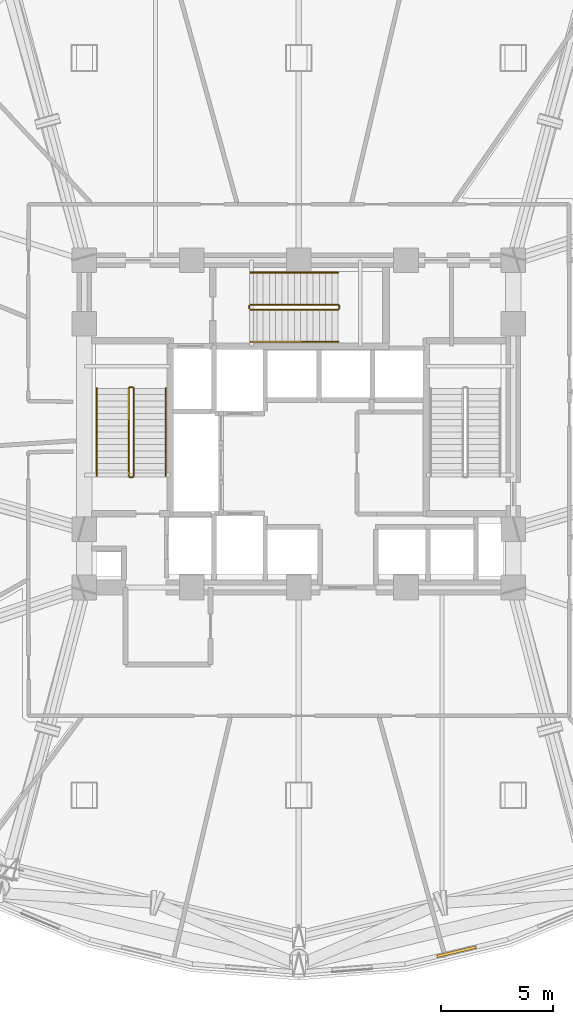
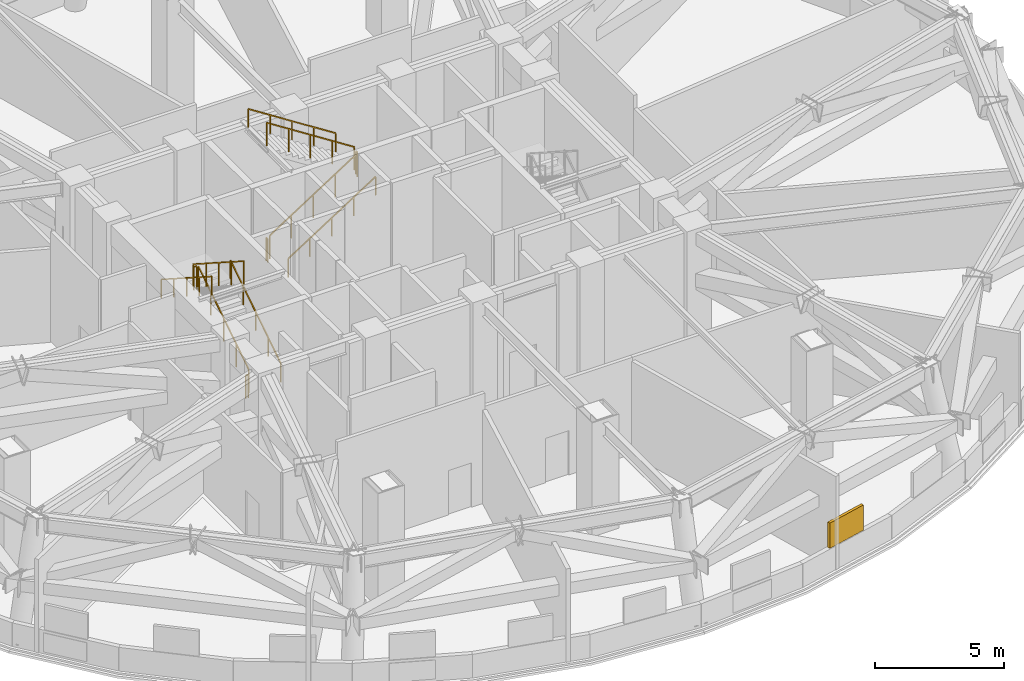
# One storey, part 11 of 14: 12 railings, 1 shading device.
"""IFC4 building model written with IfcOpenShell, lengths in metres."""

from ifc_helpers import new_model, si_unit, direction, frame, origin, origin_2d, place, context, subcontext, project, spatial, rectangle, extrude, material, layer, layer_set, type_object, element, save


model = new_model("IFC4")

# Units and contexts
model_context = context("Model", 3, precision=1e-05, world=origin(), true_north=direction((0.0, 1.0)))
body_context = subcontext(model_context, "Body", "Model", "MODEL_VIEW")
ifc_project = project(units=[si_unit("LENGTHUNIT", "METRE"), si_unit("AREAUNIT", "SQUARE_METRE"), si_unit("VOLUMEUNIT", "CUBIC_METRE"), si_unit("PLANEANGLEUNIT", "RADIAN"), si_unit("MASSUNIT", "GRAM", prefix="KILO")], contexts=[model_context])

# Site, building, storey
site_placement = place(None, origin())
site = spatial("IfcSite", under=ifc_project, at=site_placement, CompositionType="ELEMENT")
building_placement = place(site_placement, origin())
building = spatial("IfcBuilding", under=site, at=building_placement, Name="Vantalir Tower", CompositionType="ELEMENT")
storey_placement = place(building_placement, frame((0.0, 0.0, 90.75)))
storey = spatial("IfcBuildingStorey", under=building, at=storey_placement, Name="L22", CompositionType="ELEMENT", Elevation=90.75)

# Railings
ifc_material_1 = material(Name="Anodised aluminium and stainless steel guard", Category="steel")
railing_type_1 = type_object("IfcRailingType", Name="RAL-GUARD-1120", PredefinedType="GUARDRAIL", material=ifc_material_1)
railing_1_placement = place(storey_placement, frame((24.110107421875, 22.7900390625, 0.179931640625)))
element("IfcRailing", 1, at=railing_1_placement, inside=storey, type_object=railing_type_1, Name="L22 ST1 stair guard 1", PredefinedType="GUARDRAIL", context=body_context, shape_type="SweptSolid", body=[
    extrude(rectangle(XDim=0.048095703125, YDim=0.048095703125, at=origin_2d()), frame((0.0, 0.0, 1.09619140625), z_axis=(0.0, 0.841171666519, 0.540768182723), x_axis=(-1.0, 0.0, 0.0)), (0.0, 0.0, 1.0), 4.66015625),
    extrude(rectangle(XDim=0.0419921875, YDim=0.0419921875, at=origin_2d()), origin(), (0.0, 0.0, 1.0), 1.072021484375),
    extrude(rectangle(XDim=0.0419921875, YDim=0.0419921875, at=origin_2d()), frame((0.0, 0.97998046875, 0.6298828125)), (0.0, 0.0, 1.0), 1.072021484375),
    extrude(rectangle(XDim=0.0419921875, YDim=0.0419921875, at=origin_2d()), frame((0.0, 1.9599609375, 1.260009765625)), (0.0, 0.0, 1.0), 1.072021484375),
    extrude(rectangle(XDim=0.0419921875, YDim=0.0419921875, at=origin_2d()), frame((0.0, 2.93994140625, 1.89013671875)), (0.0, 0.0, 1.0), 1.072021484375),
    extrude(rectangle(XDim=0.0419921875, YDim=0.0419921875, at=origin_2d()), frame((0.0, 3.919921875, 2.52001953125)), (0.0, 0.0, 1.0), 1.072021484375),
])
railing_2_placement = place(storey_placement, frame((24.06005859375, 26.760009765625, 2.699951171875)))
element("IfcRailing", 2, at=railing_2_placement, inside=storey, type_object=railing_type_1, Name="L22 ST1 stair guard 2", PredefinedType="GUARDRAIL", context=body_context, shape_type="SweptSolid", body=[
    extrude(rectangle(XDim=0.048095703125, YDim=0.048095703125, at=origin_2d()), frame((0.0, 0.0, 1.09619140625), z_axis=(-1.0, 0.0, 0.0), x_axis=(0.0, -1.0, 0.0)), (0.0, 0.0, 1.0), 0.1201171875),
    extrude(rectangle(XDim=0.0419921875, YDim=0.0419921875, at=origin_2d()), origin(), (0.0, 0.0, 1.0), 1.072021484375),
    extrude(rectangle(XDim=0.0419921875, YDim=0.0419921875, at=origin_2d()), frame((-0.1201171875, 0.0, 0.0)), (0.0, 0.0, 1.0), 1.072021484375),
])
railing_3_placement = place(storey_placement, frame((23.889892578125, 26.7099609375, 2.8798828125)))
element("IfcRailing", 3, at=railing_3_placement, inside=storey, type_object=railing_type_1, Name="L22 ST1 stair guard 3", PredefinedType="GUARDRAIL", context=body_context, shape_type="SweptSolid", body=[
    extrude(rectangle(XDim=0.048095703125, YDim=0.048095703125, at=origin_2d()), frame((0.0, 0.0, 1.09619140625), z_axis=(0.0, -0.841171666519, 0.540768182723), x_axis=(1.0, 0.0, 0.0)), (0.0, 0.0, 1.0), 4.66015625),
    extrude(rectangle(XDim=0.0419921875, YDim=0.0419921875, at=origin_2d()), origin(), (0.0, 0.0, 1.0), 1.072021484375),
    extrude(rectangle(XDim=0.0419921875, YDim=0.0419921875, at=origin_2d()), frame((0.0, -0.97998046875, 0.6298828125)), (0.0, 0.0, 1.0), 1.072021484375),
    extrude(rectangle(XDim=0.0419921875, YDim=0.0419921875, at=origin_2d()), frame((0.0, -1.9599609375, 1.260009765625)), (0.0, 0.0, 1.0), 1.072021484375),
    extrude(rectangle(XDim=0.0419921875, YDim=0.0419921875, at=origin_2d()), frame((0.0, -2.93994140625, 1.89013671875)), (0.0, 0.0, 1.0), 1.072021484375),
    extrude(rectangle(XDim=0.0419921875, YDim=0.0419921875, at=origin_2d()), frame((0.0, -3.919921875, 2.52001953125)), (0.0, 0.0, 1.0), 1.072021484375),
])
railing_4_placement = place(storey_placement, frame((24.06005859375, 22.739990234375, 0.0)))
element("IfcRailing", 4, at=railing_4_placement, inside=storey, type_object=railing_type_1, Name="L22 ST1 stair guard 4", PredefinedType="GUARDRAIL", context=body_context, shape_type="SweptSolid", body=[
    extrude(rectangle(XDim=0.048095703125, YDim=0.048095703125, at=origin_2d()), frame((0.0, 0.0, 1.09619140625), z_axis=(-1.0, 0.0, 0.0), x_axis=(0.0, -1.0, 0.0)), (0.0, 0.0, 1.0), 0.1201171875),
    extrude(rectangle(XDim=0.0419921875, YDim=0.0419921875, at=origin_2d()), origin(), (0.0, 0.0, 1.0), 1.072021484375),
    extrude(rectangle(XDim=0.0419921875, YDim=0.0419921875, at=origin_2d()), frame((-0.1201171875, 0.0, 0.0)), (0.0, 0.0, 1.0), 1.072021484375),
])
railing_5_placement = place(storey_placement, frame((29.340087890625, 30.239990234375, 0.179931640625)))
element("IfcRailing", 5, at=railing_5_placement, inside=storey, type_object=railing_type_1, Name="L22 ST3 stair guard 1", PredefinedType="GUARDRAIL", context=body_context, shape_type="SweptSolid", body=[
    extrude(rectangle(XDim=0.048095703125, YDim=0.048095703125, at=origin_2d()), frame((0.0, 0.0, 1.09619140625), z_axis=(0.841171666519, 0.0, 0.540768182723), x_axis=(0.0, 1.0, 0.0)), (0.0, 0.0, 1.0), 4.66015625),
    extrude(rectangle(XDim=0.0419921875, YDim=0.0419921875, at=origin_2d()), origin(), (0.0, 0.0, 1.0), 1.072021484375),
    extrude(rectangle(XDim=0.0419921875, YDim=0.0419921875, at=origin_2d()), frame((0.97998046875, 0.0, 0.6298828125)), (0.0, 0.0, 1.0), 1.072021484375),
    extrude(rectangle(XDim=0.0419921875, YDim=0.0419921875, at=origin_2d()), frame((1.9599609375, 0.0, 1.260009765625)), (0.0, 0.0, 1.0), 1.072021484375),
    extrude(rectangle(XDim=0.0419921875, YDim=0.0419921875, at=origin_2d()), frame((2.93994140625, 0.0, 1.89013671875)), (0.0, 0.0, 1.0), 1.072021484375),
    extrude(rectangle(XDim=0.0419921875, YDim=0.0419921875, at=origin_2d()), frame((3.919921875, 0.0, 2.52001953125)), (0.0, 0.0, 1.0), 1.072021484375),
])
railing_6_placement = place(storey_placement, frame((33.31005859375, 30.2900390625, 2.699951171875)))
element("IfcRailing", 6, at=railing_6_placement, inside=storey, type_object=railing_type_1, Name="L22 ST3 stair guard 2", PredefinedType="GUARDRAIL", context=body_context, shape_type="SweptSolid", body=[
    extrude(rectangle(XDim=0.048095703125, YDim=0.048095703125, at=origin_2d()), frame((0.0, 0.0, 1.09619140625), z_axis=(0.0, 1.0, 0.0), x_axis=(-1.0, 0.0, 0.0)), (0.0, 0.0, 1.0), 0.119873046875),
    extrude(rectangle(XDim=0.0419921875, YDim=0.0419921875, at=origin_2d()), origin(), (0.0, 0.0, 1.0), 1.072021484375),
    extrude(rectangle(XDim=0.0419921875, YDim=0.0419921875, at=origin_2d()), frame((0.0, 0.119873046875, 0.0)), (0.0, 0.0, 1.0), 1.072021484375),
])
railing_7_placement = place(storey_placement, frame((33.260009765625, 30.4599609375, 2.8798828125)))
element("IfcRailing", 7, at=railing_7_placement, inside=storey, type_object=railing_type_1, Name="L22 ST3 stair guard 3", PredefinedType="GUARDRAIL", context=body_context, shape_type="SweptSolid", body=[
    extrude(rectangle(XDim=0.048095703125, YDim=0.048095703125, at=origin_2d()), frame((0.0, 0.0, 1.09619140625), z_axis=(-0.841171666519, 0.0, 0.540768182723), x_axis=(0.0, -1.0, 0.0)), (0.0, 0.0, 1.0), 4.66015625),
    extrude(rectangle(XDim=0.0419921875, YDim=0.0419921875, at=origin_2d()), origin(), (0.0, 0.0, 1.0), 1.072021484375),
    extrude(rectangle(XDim=0.0419921875, YDim=0.0419921875, at=origin_2d()), frame((-0.97998046875, 0.0, 0.6298828125)), (0.0, 0.0, 1.0), 1.072021484375),
    extrude(rectangle(XDim=0.0419921875, YDim=0.0419921875, at=origin_2d()), frame((-1.9599609375, 0.0, 1.260009765625)), (0.0, 0.0, 1.0), 1.072021484375),
    extrude(rectangle(XDim=0.0419921875, YDim=0.0419921875, at=origin_2d()), frame((-2.93994140625, 0.0, 1.89013671875)), (0.0, 0.0, 1.0), 1.072021484375),
    extrude(rectangle(XDim=0.0419921875, YDim=0.0419921875, at=origin_2d()), frame((-3.919921875, 0.0, 2.52001953125)), (0.0, 0.0, 1.0), 1.072021484375),
])
railing_8_placement = place(storey_placement, frame((29.2900390625, 30.2900390625, 0.0)))
element("IfcRailing", 8, at=railing_8_placement, inside=storey, type_object=railing_type_1, Name="L22 ST3 stair guard 4", PredefinedType="GUARDRAIL", context=body_context, shape_type="SweptSolid", body=[
    extrude(rectangle(XDim=0.048095703125, YDim=0.048095703125, at=origin_2d()), frame((0.0, 0.0, 1.09619140625), z_axis=(0.0, 1.0, 0.0), x_axis=(-1.0, 0.0, 0.0)), (0.0, 0.0, 1.0), 0.119873046875),
    extrude(rectangle(XDim=0.0419921875, YDim=0.0419921875, at=origin_2d()), origin(), (0.0, 0.0, 1.0), 1.072021484375),
    extrude(rectangle(XDim=0.0419921875, YDim=0.0419921875, at=origin_2d()), frame((0.0, 0.119873046875, 0.0)), (0.0, 0.0, 1.0), 1.072021484375),
])
ifc_material_2 = material(Name="Brushed stainless steel tubular handrail", Category="steel")
railing_type_2 = type_object("IfcRailingType", Name="RAL-HANDRAIL-900", PredefinedType="HANDRAIL", material=ifc_material_2)
railing_9_placement = place(storey_placement, frame((25.550048828125, 22.7900390625, 0.179931640625)))
element("IfcRailing", 9, at=railing_9_placement, inside=storey, type_object=railing_type_2, Name="L22 ST1 stair handrail 1", PredefinedType="HANDRAIL", context=body_context, shape_type="SweptSolid", body=[
    extrude(rectangle(XDim=0.048095703125, YDim=0.048095703125, at=origin_2d()), frame((0.0, 0.0, 0.8759765625), z_axis=(0.0, 0.841171666519, 0.540768182723), x_axis=(-1.0, 0.0, 0.0)), (0.0, 0.0, 1.0), 4.66015625),
    extrude(rectangle(XDim=0.0419921875, YDim=0.0419921875, at=origin_2d()), origin(), (0.0, 0.0, 1.0), 0.851806640625),
    extrude(rectangle(XDim=0.0419921875, YDim=0.0419921875, at=origin_2d()), frame((0.0, 0.97998046875, 0.6298828125)), (0.0, 0.0, 1.0), 0.851806640625),
    extrude(rectangle(XDim=0.0419921875, YDim=0.0419921875, at=origin_2d()), frame((0.0, 1.9599609375, 1.260009765625)), (0.0, 0.0, 1.0), 0.851806640625),
    extrude(rectangle(XDim=0.0419921875, YDim=0.0419921875, at=origin_2d()), frame((0.0, 2.93994140625, 1.89013671875)), (0.0, 0.0, 1.0), 0.851806640625),
    extrude(rectangle(XDim=0.0419921875, YDim=0.0419921875, at=origin_2d()), frame((0.0, 3.919921875, 2.52001953125)), (0.0, 0.0, 1.0), 0.851806640625),
])
railing_10_placement = place(storey_placement, frame((22.449951171875, 26.7099609375, 2.8798828125)))
element("IfcRailing", 10, at=railing_10_placement, inside=storey, type_object=railing_type_2, Name="L22 ST1 stair handrail 2", PredefinedType="HANDRAIL", context=body_context, shape_type="SweptSolid", body=[
    extrude(rectangle(XDim=0.048095703125, YDim=0.048095703125, at=origin_2d()), frame((0.0, 0.0, 0.8759765625), z_axis=(0.0, -0.841171666519, 0.540768182723), x_axis=(1.0, 0.0, 0.0)), (0.0, 0.0, 1.0), 4.66015625),
    extrude(rectangle(XDim=0.0419921875, YDim=0.0419921875, at=origin_2d()), origin(), (0.0, 0.0, 1.0), 0.851806640625),
    extrude(rectangle(XDim=0.0419921875, YDim=0.0419921875, at=origin_2d()), frame((0.0, -0.97998046875, 0.6298828125)), (0.0, 0.0, 1.0), 0.851806640625),
    extrude(rectangle(XDim=0.0419921875, YDim=0.0419921875, at=origin_2d()), frame((0.0, -1.9599609375, 1.260009765625)), (0.0, 0.0, 1.0), 0.851806640625),
    extrude(rectangle(XDim=0.0419921875, YDim=0.0419921875, at=origin_2d()), frame((0.0, -2.93994140625, 1.89013671875)), (0.0, 0.0, 1.0), 0.851806640625),
    extrude(rectangle(XDim=0.0419921875, YDim=0.0419921875, at=origin_2d()), frame((0.0, -3.919921875, 2.52001953125)), (0.0, 0.0, 1.0), 0.851806640625),
])
railing_11_placement = place(storey_placement, frame((29.340087890625, 28.800048828125, 0.179931640625)))
element("IfcRailing", 11, at=railing_11_placement, inside=storey, type_object=railing_type_2, Name="L22 ST3 stair handrail 1", PredefinedType="HANDRAIL", context=body_context, shape_type="SweptSolid", body=[
    extrude(rectangle(XDim=0.048095703125, YDim=0.048095703125, at=origin_2d()), frame((0.0, 0.0, 0.8759765625), z_axis=(0.841171666519, 0.0, 0.540768182723), x_axis=(0.0, 1.0, 0.0)), (0.0, 0.0, 1.0), 4.66015625),
    extrude(rectangle(XDim=0.0419921875, YDim=0.0419921875, at=origin_2d()), origin(), (0.0, 0.0, 1.0), 0.851806640625),
    extrude(rectangle(XDim=0.0419921875, YDim=0.0419921875, at=origin_2d()), frame((0.97998046875, 0.0, 0.6298828125)), (0.0, 0.0, 1.0), 0.851806640625),
    extrude(rectangle(XDim=0.0419921875, YDim=0.0419921875, at=origin_2d()), frame((1.9599609375, 0.0, 1.260009765625)), (0.0, 0.0, 1.0), 0.851806640625),
    extrude(rectangle(XDim=0.0419921875, YDim=0.0419921875, at=origin_2d()), frame((2.93994140625, 0.0, 1.89013671875)), (0.0, 0.0, 1.0), 0.851806640625),
    extrude(rectangle(XDim=0.0419921875, YDim=0.0419921875, at=origin_2d()), frame((3.919921875, 0.0, 2.52001953125)), (0.0, 0.0, 1.0), 0.851806640625),
])
railing_12_placement = place(storey_placement, frame((33.260009765625, 31.89990234375, 2.8798828125)))
element("IfcRailing", 12, at=railing_12_placement, inside=storey, type_object=railing_type_2, Name="L22 ST3 stair handrail 2", PredefinedType="HANDRAIL", context=body_context, shape_type="SweptSolid", body=[
    extrude(rectangle(XDim=0.048095703125, YDim=0.048095703125, at=origin_2d()), frame((0.0, 0.0, 0.8759765625), z_axis=(-0.841171666519, 0.0, 0.540768182723), x_axis=(0.0, -1.0, 0.0)), (0.0, 0.0, 1.0), 4.66015625),
    extrude(rectangle(XDim=0.0419921875, YDim=0.0419921875, at=origin_2d()), origin(), (0.0, 0.0, 1.0), 0.851806640625),
    extrude(rectangle(XDim=0.0419921875, YDim=0.0419921875, at=origin_2d()), frame((-0.97998046875, 0.0, 0.6298828125)), (0.0, 0.0, 1.0), 0.851806640625),
    extrude(rectangle(XDim=0.0419921875, YDim=0.0419921875, at=origin_2d()), frame((-1.9599609375, 0.0, 1.260009765625)), (0.0, 0.0, 1.0), 0.851806640625),
    extrude(rectangle(XDim=0.0419921875, YDim=0.0419921875, at=origin_2d()), frame((-2.93994140625, 0.0, 1.89013671875)), (0.0, 0.0, 1.0), 0.851806640625),
    extrude(rectangle(XDim=0.0419921875, YDim=0.0419921875, at=origin_2d()), frame((-3.919921875, 0.0, 2.52001953125)), (0.0, 0.0, 1.0), 0.851806640625),
])

# Shading device
ifc_material_3 = material(Name="Champagne-silver PVDF aluminium storm louvre", Category="aluminium")
ifc_layer = layer(ifc_material_3, 0.1201171875)
ifc_layer_set = layer_set([ifc_layer], Name="Champagne-silver PVDF aluminium storm louvre")
shading_device_type = type_object("IfcShadingDeviceType", Name="SHD-STORM-LOUVRE", PredefinedType="JALOUSIE", material=ifc_layer_set)
shading_device_placement = place(storey_placement, frame((38.56005859375, 1.4990234375, 1.1162109375), z_axis=(0.0, 0.0, 1.0), x_axis=(0.972609793841, 0.23244394792, 0.0)))
element("IfcShadingDevice", 13, at=shading_device_placement, inside=storey, type_object=shading_device_type, Name="L22 Acoustic Storm Louvre R29", PredefinedType="JALOUSIE", context=body_context, shape_type="SweptSolid", body=[
    extrude(rectangle(XDim=1.800048828125, YDim=0.1201171875, at=origin_2d()), origin(), (0.0, 0.0, 1.0), 1.199951171875),
])

save(model, "model.ifc")
